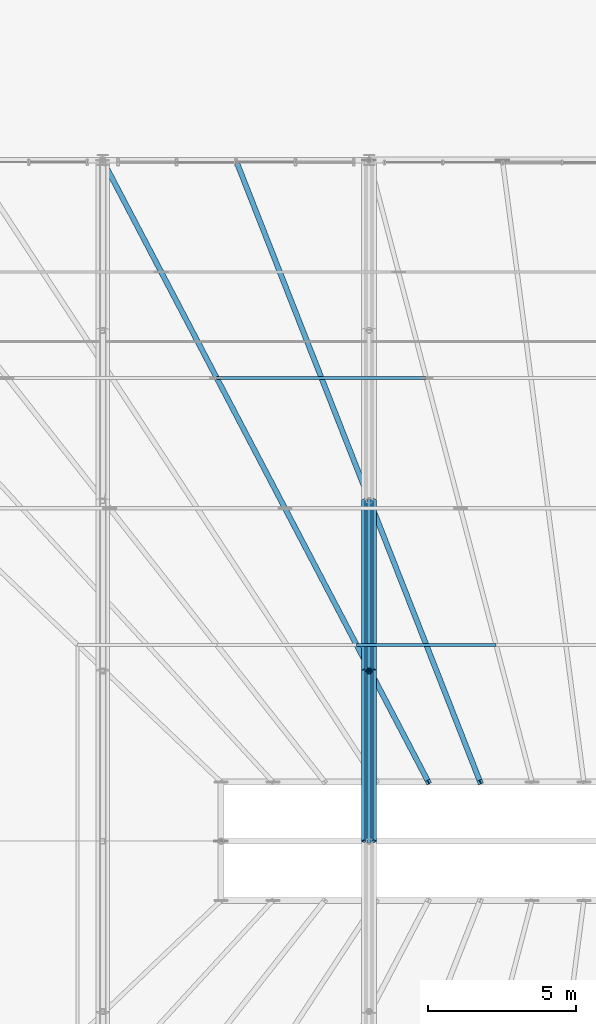
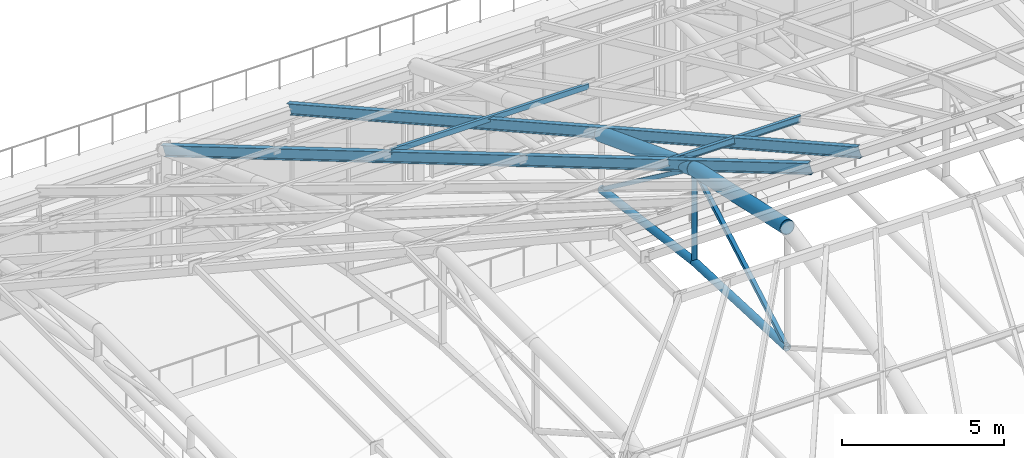
# One storey, part 53 of 168: 9 members, 2 beams.
"""IFC4 building model written with IfcOpenShell, lengths in metres."""

from ifc_helpers import new_model, si_unit, direction, frame, origin, origin_2d, place, context, subcontext, project, spatial, hollow_rectangle, hollow_circle, i_section, extrude, material, material_profile, profile_set, type_object, element, save


model = new_model("IFC4")

# Units and contexts
model_context = context("Model", 3, precision=1e-05, world=origin(), true_north=direction((0.0, 1.0)))
body_context = subcontext(model_context, "Body", "Model", "MODEL_VIEW")
ifc_project = project(units=[si_unit("LENGTHUNIT", "METRE"), si_unit("AREAUNIT", "SQUARE_METRE"), si_unit("VOLUMEUNIT", "CUBIC_METRE"), si_unit("PLANEANGLEUNIT", "RADIAN"), si_unit("MASSUNIT", "GRAM", prefix="KILO"), si_unit("THERMODYNAMICTEMPERATUREUNIT", "KELVIN"), si_unit("POWERUNIT", "WATT")], contexts=[model_context])

# Site, building, storey
site_placement = place(None, origin())
site = spatial("IfcSite", under=ifc_project, at=site_placement, CompositionType="ELEMENT")
building_placement = place(site_placement, origin())
building = spatial("IfcBuilding", under=site, at=building_placement, Name="Tepalcoro Natatorium and Aquatics Centre", CompositionType="ELEMENT")
storey_placement = place(building_placement, frame((0.0, 0.0, 10.199951171875)))
storey = spatial("IfcBuildingStorey", under=building, at=storey_placement, Name="L02", CompositionType="ELEMENT", Elevation=10.199951171875)

# Beams
ifc_material_1 = material(Name="Terracotta Painted Hollow Steel ASTM A500 Grade C (Fy 345 MPa)", Category="masonry")
ifc_material_profile_1 = material_profile(ifc_material_1, hollow_circle(Radius=0.25390625, WallThickness=0.02001953125, at=origin_2d()), Name="CHS508X20")
ifc_profile_set_1 = profile_set([ifc_material_profile_1], Name="Terracotta Painted Hollow Steel ASTM A500 Grade C (Fy 345 MPa)")
beam_type = type_object("IfcBeamType", Name="AC_CHS508x20", PredefinedType="USERDEFINED", material=ifc_profile_set_1)
beam_1_placement = place(storey_placement, frame((80.0, 36.0, 12.199951171875), z_axis=(0.0, 0.976604771889, -0.215042134299), x_axis=(-1.0, 0.0, 0.0)))
element("IfcBeam", 1, at=beam_1_placement, inside=storey, type_object=beam_type, Name="V1 Arched Truss Top Chord 4", ObjectType="ARCH CHORD", PredefinedType="USERDEFINED", context=body_context, shape_type="SweptSolid", body=[
    extrude(hollow_circle(Radius=0.25390625, WallThickness=0.02001953125, at=origin_2d()), origin(), (0.0, 0.0, 1.0), 5.8876953125),
])
beam_2_placement = place(storey_placement, frame((80.0, 41.75, 10.933837890625), z_axis=(0.0, 0.93419963938, -0.356750660521), x_axis=(-1.0, 0.0, 0.0)))
element("IfcBeam", 2, at=beam_2_placement, inside=storey, type_object=beam_type, Name="V1 Arched Truss Top Chord 4", ObjectType="ARCH CHORD", PredefinedType="USERDEFINED", context=body_context, shape_type="SweptSolid", body=[
    extrude(hollow_circle(Radius=0.25390625, WallThickness=0.02001953125, at=origin_2d()), origin(), (0.0, 0.0, 1.0), 6.155029296875),
])

# Members
ifc_material_profile_2 = material_profile(ifc_material_1, hollow_circle(Radius=0.136474609375, WallThickness=0.01611328125, at=origin_2d()), Name="CHS273X16")
ifc_profile_set_2 = profile_set([ifc_material_profile_2], Name="Terracotta Painted Hollow Steel ASTM A500 Grade C (Fy 345 MPa)")
member_type_1 = type_object("IfcMemberType", Name="MB_CH_CHS273x16", PredefinedType="CHORD", material=ifc_profile_set_2)
member_1_placement = place(storey_placement, frame((80.0, 36.0, 7.650146484375), z_axis=(0.0, 0.999078119626, -0.042929137953), x_axis=(-1.0, 0.0, 0.0)))
element("IfcMember", 3, at=member_1_placement, inside=storey, type_object=member_type_1, Name="V1 Arched Truss Bottom Chord 4", PredefinedType="CHORD", context=body_context, shape_type="SweptSolid", body=[
    extrude(hollow_circle(Radius=0.136474609375, WallThickness=0.01611328125, at=origin_2d()), origin(), (0.0, 0.0, 1.0), 5.75537109375),
])
member_2_placement = place(storey_placement, frame((80.0, 41.75, 7.403076171875), z_axis=(0.0, 0.991809731939, -0.127724138798), x_axis=(-1.0, 0.0, 0.0)))
element("IfcMember", 4, at=member_2_placement, inside=storey, type_object=member_type_1, Name="V1 Arched Truss Bottom Chord 4", PredefinedType="CHORD", context=body_context, shape_type="SweptSolid", body=[
    extrude(hollow_circle(Radius=0.136474609375, WallThickness=0.01611328125, at=origin_2d()), origin(), (0.0, 0.0, 1.0), 5.79736328125),
])
ifc_material_2 = material(Name="Hollow Steel ASTM A500 Grade C (Fy 345 MPa)", Category="steel")
ifc_material_profile_3 = material_profile(ifc_material_2, hollow_rectangle(XDim=0.10009765625, YDim=0.199951171875, WallThickness=0.008056640625, at=origin_2d()), Name="HSS200X100X8")
ifc_profile_set_3 = profile_set([ifc_material_profile_3], Name="Hollow Steel ASTM A500 Grade C (Fy 345 MPa)")
member_type_2 = type_object("IfcMemberType", Name="MB_PR_HSS200x100x8", PredefinedType="PURLIN", material=ifc_profile_set_3)
member_3_placement = place(storey_placement, frame((74.85009765625, 51.64990234375, 7.380126953125), z_axis=(1.0, 0.0, 0.0), x_axis=(0.0, 1.0, 0.0)))
element("IfcMember", 5, at=member_3_placement, inside=storey, type_object=member_type_2, Name="Pyramid Horizontal Purlin North", PredefinedType="PURLIN", context=body_context, shape_type="SweptSolid", body=[
    extrude(hollow_rectangle(XDim=0.10009765625, YDim=0.199951171875, WallThickness=0.008056640625, at=origin_2d()), origin(), (0.0, 0.0, 1.0), 7.074951171875),
])
ifc_material_3 = material(Name="Steel ASTM A992 Grade 50 (Fy 345 MPa)", Category="steel")
ifc_material_profile_4 = material_profile(ifc_material_3, i_section(OverallWidth=0.10205078125, OverallDepth=0.259033203125, WebThickness=0.006103515625, FlangeThickness=0.010009765625, FilletRadius=0.013916015625, at=origin_2d()), Name="W10X19")
ifc_profile_set_4 = profile_set([ifc_material_profile_4], Name="Steel ASTM A992 Grade 50 (Fy 345 MPa)")
member_type_3 = type_object("IfcMemberType", Name="MB_PR_W10x19", PredefinedType="PURLIN", material=ifc_profile_set_4)
member_4_placement = place(storey_placement, frame((79.580078125, 42.6201171875, 10.799072265625), z_axis=(1.0, 0.0, 0.0), x_axis=(0.0, 1.0, 0.0)))
element("IfcMember", 6, at=member_4_placement, inside=storey, type_object=member_type_3, Name="Pyramid Horizontal Purlin North", PredefinedType="PURLIN", context=body_context, shape_type="SweptSolid", body=[
    extrude(i_section(OverallWidth=0.10205078125, OverallDepth=0.259033203125, WebThickness=0.006103515625, FlangeThickness=0.010009765625, FilletRadius=0.013916015625, at=origin_2d()), origin(), (0.0, 0.0, 1.0), 4.7099609375),
])
ifc_material_profile_5 = material_profile(ifc_material_1, hollow_circle(Radius=0.096923828125, WallThickness=0.010009765625, at=origin_2d()), Name="CHS194X10")
ifc_profile_set_5 = profile_set([ifc_material_profile_5], Name="Terracotta Painted Hollow Steel ASTM A500 Grade C (Fy 345 MPa)")
member_type_4 = type_object("IfcMemberType", Name="MB_PS_CHS194x10", PredefinedType="POST", material=ifc_profile_set_5)
member_5_placement = place(storey_placement, frame((80.0, 41.75, 7.403076171875), z_axis=(0.0, 0.0, 1.0), x_axis=(1.0, 0.0, 0.0)))
element("IfcMember", 7, at=member_5_placement, inside=storey, type_object=member_type_4, Name="V1 Arched Truss Vertical Post 4", PredefinedType="POST", context=body_context, shape_type="SweptSolid", body=[
    extrude(hollow_circle(Radius=0.096923828125, WallThickness=0.010009765625, at=origin_2d()), origin(), (0.0, 0.0, 1.0), 3.53076171875),
])
ifc_material_profile_6 = material_profile(ifc_material_3, i_section(OverallWidth=0.177978515625, OverallDepth=0.403076171875, WebThickness=0.008056640625, FlangeThickness=0.010986328125, FilletRadius=0.013916015625, at=origin_2d()), Name="W16X36")
ifc_profile_set_6 = profile_set([ifc_material_profile_6], Name="Steel ASTM A992 Grade 50 (Fy 345 MPa)")
member_type_5 = type_object("IfcMemberType", Name="MB_RF_W16x36", PredefinedType="RAFTER", material=ifc_profile_set_6)
member_6_placement = place(storey_placement, frame((71.0, 59.0, 4.320068359375), z_axis=(0.438486045758, -0.837109723719, 0.327073842015), x_axis=(0.88583153528, 0.464006994671, 0.0)))
element("IfcMember", 8, at=member_6_placement, inside=storey, type_object=member_type_5, Name="Pyramid Skylight Rafter North", PredefinedType="RAFTER", context=body_context, shape_type="SweptSolid", body=[
    extrude(i_section(OverallWidth=0.177978515625, OverallDepth=0.403076171875, WebThickness=0.008056640625, FlangeThickness=0.010986328125, FilletRadius=0.013916015625, at=origin_2d()), origin(), (0.0, 0.0, 1.0), 25.08642578125),
])
member_7_placement = place(storey_placement, frame((75.5, 59.0, 4.320068359375), z_axis=(0.343634935257, -0.874707107928, 0.341763817002), x_axis=(0.93075149344, 0.365652372423, 0.0)))
element("IfcMember", 9, at=member_7_placement, inside=storey, type_object=member_type_5, Name="Pyramid Skylight Rafter North", PredefinedType="RAFTER", context=body_context, shape_type="SweptSolid", body=[
    extrude(i_section(OverallWidth=0.177978515625, OverallDepth=0.403076171875, WebThickness=0.008056640625, FlangeThickness=0.010986328125, FilletRadius=0.013916015625, at=origin_2d()), origin(), (0.0, 0.0, 1.0), 24.008056640625),
])
ifc_material_profile_7 = material_profile(ifc_material_2, hollow_rectangle(XDim=0.139892578125, YDim=0.139892578125, WallThickness=0.008056640625, at=origin_2d()), Name="HSS140X140X8")
ifc_profile_set_7 = profile_set([ifc_material_profile_7], Name="Hollow Steel ASTM A500 Grade C (Fy 345 MPa)")
member_type_6 = type_object("IfcMemberType", Name="MB_ST_HSS140x140x8", PredefinedType="STRUT", material=ifc_profile_set_7)
member_8_placement = place(storey_placement, frame((80.0, 36.0, 7.650146484375), z_axis=(0.0, 0.86837471101, 0.495908621904), x_axis=(-1.0, 0.0, 0.0)))
element("IfcMember", 10, at=member_8_placement, inside=storey, type_object=member_type_6, Name="V1 Arched Truss Web Diagonal 4", PredefinedType="STRUT", context=body_context, shape_type="SweptSolid", body=[
    extrude(hollow_rectangle(XDim=0.139892578125, YDim=0.139892578125, WallThickness=0.008056640625, at=origin_2d()), origin(), (0.0, 0.0, 1.0), 6.62158203125),
])
member_9_placement = place(storey_placement, frame((80.0, 41.75, 10.933837890625), z_axis=(0.0, 0.80275643445, -0.596307057605), x_axis=(-1.0, 0.0, 0.0)))
element("IfcMember", 11, at=member_9_placement, inside=storey, type_object=member_type_6, Name="V1 Arched Truss Web Diagonal 4", PredefinedType="STRUT", context=body_context, shape_type="SweptSolid", body=[
    extrude(hollow_rectangle(XDim=0.139892578125, YDim=0.139892578125, WallThickness=0.008056640625, at=origin_2d()), origin(), (0.0, 0.0, 1.0), 7.162841796875),
])

save(model, "model.ifc")
